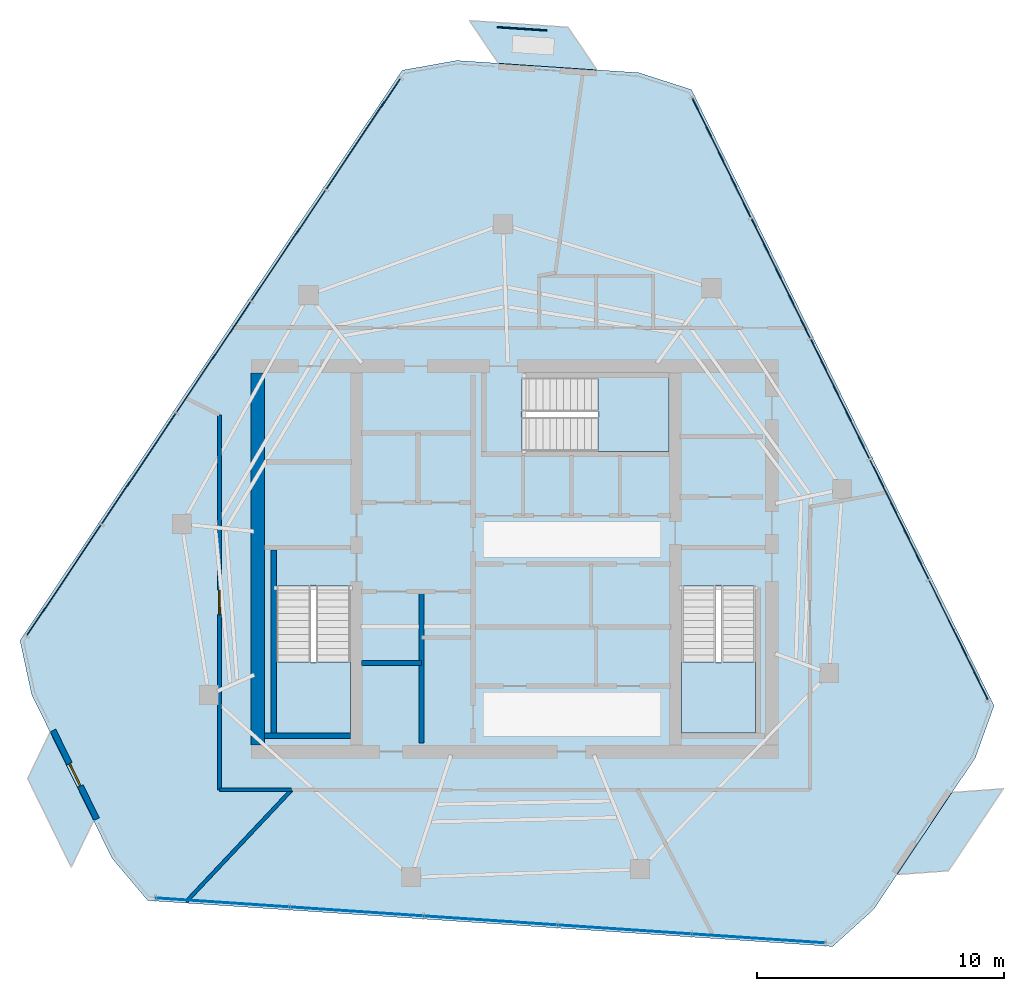
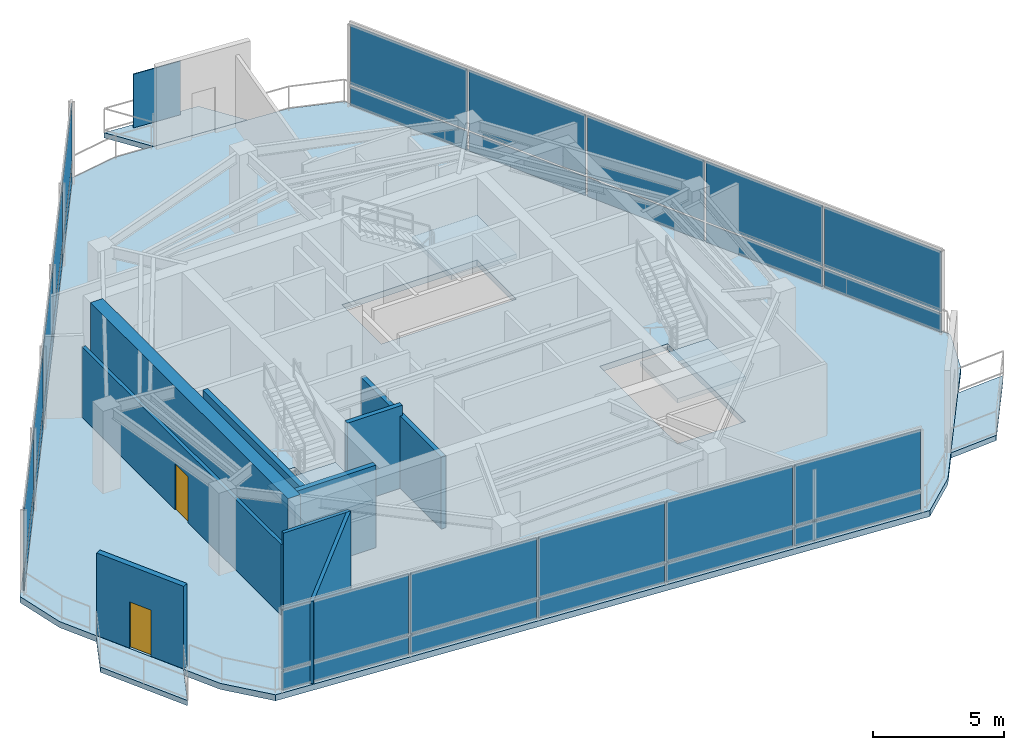
# One storey, part 13 of 18: 31 plates, 9 walls, 7 slabs, 2 doors, 2 openings, 6 elements without a shape of their own.
"""IFC4 building model written with IfcOpenShell, lengths in metres."""

from ifc_helpers import new_model, si_unit, direction, frame, frame_2d, origin, origin_2d, place, context, subcontext, project, spatial, polyline, rectangle, outline, extrude, material, layer, layer_set, type_object, element, fill, aggregate, save


model = new_model("IFC4")

# Units and contexts
model_context = context("Model", 3, precision=1e-05, world=origin(), true_north=direction((0.0, 1.0)))
body_context = subcontext(model_context, "Body", "Model", "MODEL_VIEW")
ifc_project = project(units=[si_unit("LENGTHUNIT", "METRE"), si_unit("AREAUNIT", "SQUARE_METRE"), si_unit("VOLUMEUNIT", "CUBIC_METRE"), si_unit("PLANEANGLEUNIT", "RADIAN"), si_unit("MASSUNIT", "GRAM", prefix="KILO")], contexts=[model_context])

# Site, building, storey
site_placement = place(None, origin())
site = spatial("IfcSite", under=ifc_project, at=site_placement, CompositionType="ELEMENT")
building_placement = place(site_placement, origin())
building = spatial("IfcBuilding", under=site, at=building_placement, Name="Qarnah Convention Tower", CompositionType="ELEMENT")
storey_placement = place(building_placement, frame((0.0, 0.0, 279.300048828125)))
storey = spatial("IfcBuildingStorey", under=building, at=storey_placement, Name="L75", CompositionType="ELEMENT", Elevation=279.300048828125)

# Curtain wall, plates
ifc_material_1 = material(Name="Tempered Low-E dark glass", Category="glass")
ifc_layer_1 = layer(ifc_material_1, 0.177978515625)
ifc_layer_set_1 = layer_set([ifc_layer_1], Name="Tempered Low-E dark glass")
curtain_wall_type = type_object("IfcCurtainWallType", Name="CWS-06", PredefinedType="NOTDEFINED", material=ifc_layer_set_1)
curtain_wall_1_placement = place(storey_placement, origin())
curtain_wall_1 = element("IfcCurtainWall", 1, at=curtain_wall_1_placement, inside=storey, type_object=curtain_wall_type, Name="L75 unitised curtain wall CW-L75-F1", PredefinedType="NOTDEFINED")
ifc_layer_2 = layer(ifc_material_1, 0.0380859375)
ifc_layer_set_2 = layer_set([ifc_layer_2], Name="Tempered Low-E dark glass")
plate_type_1 = type_object("IfcPlateType", Name="PNL-T6", PredefinedType="CURTAIN_PANEL", material=ifc_layer_set_2)
plate_1_placement = place(storey_placement, frame((45.575439453125, 42.62890625, 0.039794921875), z_axis=(0.0, 0.0, 1.0), x_axis=(0.440831090397, -0.8975900789, 0.0)))
plate_1 = element("IfcPlate", 2, at=plate_1_placement, type_object=plate_type_1, Name="CW-L75-F1 curtain panel 1.1", PredefinedType="CURTAIN_PANEL", context=body_context, shape_type="SweptSolid", body=[
    extrude(rectangle(XDim=5.35693359375, YDim=0.0380859375, at=origin_2d()), origin(), (0.0, 0.0, 1.0), 0.8701171875),
])
plate_2_placement = place(storey_placement, frame((45.575439453125, 42.62890625, 0.989990234375), z_axis=(0.0, 0.0, 1.0), x_axis=(0.440831090397, -0.8975900789, 0.0)))
plate_2 = element("IfcPlate", 3, at=plate_2_placement, type_object=plate_type_1, Name="CW-L75-F1 curtain panel 1.2", PredefinedType="CURTAIN_PANEL", context=body_context, shape_type="SweptSolid", body=[
    extrude(rectangle(XDim=5.35693359375, YDim=0.0380859375, at=origin_2d()), origin(), (0.0, 0.0, 1.0), 2.81005859375),
])
plate_3_placement = place(storey_placement, frame((47.97216796875, 37.748779296875, 0.039794921875), z_axis=(0.0, 0.0, 1.0), x_axis=(0.440831090397, -0.8975900789, 0.0)))
plate_3 = element("IfcPlate", 4, at=plate_3_placement, type_object=plate_type_1, Name="CW-L75-F1 curtain panel 2.1", PredefinedType="CURTAIN_PANEL", context=body_context, shape_type="SweptSolid", body=[
    extrude(rectangle(XDim=5.35693359375, YDim=0.0380859375, at=origin_2d()), origin(), (0.0, 0.0, 1.0), 0.8701171875),
])
plate_4_placement = place(storey_placement, frame((47.97216796875, 37.748779296875, 0.989990234375), z_axis=(0.0, 0.0, 1.0), x_axis=(0.440831090397, -0.8975900789, 0.0)))
plate_4 = element("IfcPlate", 5, at=plate_4_placement, type_object=plate_type_1, Name="CW-L75-F1 curtain panel 2.2", PredefinedType="CURTAIN_PANEL", context=body_context, shape_type="SweptSolid", body=[
    extrude(rectangle(XDim=5.35693359375, YDim=0.0380859375, at=origin_2d()), origin(), (0.0, 0.0, 1.0), 2.81005859375),
])
plate_5_placement = place(storey_placement, frame((50.368896484375, 32.868408203125, 0.039794921875), z_axis=(0.0, 0.0, 1.0), x_axis=(0.440831090397, -0.8975900789, 0.0)))
plate_5 = element("IfcPlate", 6, at=plate_5_placement, type_object=plate_type_1, Name="CW-L75-F1 curtain panel 3.1", PredefinedType="CURTAIN_PANEL", context=body_context, shape_type="SweptSolid", body=[
    extrude(rectangle(XDim=5.35693359375, YDim=0.0380859375, at=origin_2d()), origin(), (0.0, 0.0, 1.0), 0.8701171875),
])
plate_6_placement = place(storey_placement, frame((50.368896484375, 32.868408203125, 0.989990234375), z_axis=(0.0, 0.0, 1.0), x_axis=(0.440831090397, -0.8975900789, 0.0)))
plate_6 = element("IfcPlate", 7, at=plate_6_placement, type_object=plate_type_1, Name="CW-L75-F1 curtain panel 3.2", PredefinedType="CURTAIN_PANEL", context=body_context, shape_type="SweptSolid", body=[
    extrude(rectangle(XDim=5.35693359375, YDim=0.0380859375, at=origin_2d()), origin(), (0.0, 0.0, 1.0), 2.81005859375),
])
plate_7_placement = place(storey_placement, frame((52.765869140625, 27.98828125, 0.039794921875), z_axis=(0.0, 0.0, 1.0), x_axis=(0.440831090397, -0.8975900789, 0.0)))
plate_7 = element("IfcPlate", 8, at=plate_7_placement, type_object=plate_type_1, Name="CW-L75-F1 curtain panel 4.1", PredefinedType="CURTAIN_PANEL", context=body_context, shape_type="SweptSolid", body=[
    extrude(rectangle(XDim=5.35693359375, YDim=0.0380859375, at=origin_2d()), origin(), (0.0, 0.0, 1.0), 0.8701171875),
])
plate_8_placement = place(storey_placement, frame((52.765869140625, 27.98828125, 0.989990234375), z_axis=(0.0, 0.0, 1.0), x_axis=(0.440831090397, -0.8975900789, 0.0)))
plate_8 = element("IfcPlate", 9, at=plate_8_placement, type_object=plate_type_1, Name="CW-L75-F1 curtain panel 4.2", PredefinedType="CURTAIN_PANEL", context=body_context, shape_type="SweptSolid", body=[
    extrude(rectangle(XDim=5.35693359375, YDim=0.0380859375, at=origin_2d()), origin(), (0.0, 0.0, 1.0), 2.81005859375),
])
plate_9_placement = place(storey_placement, frame((55.16259765625, 23.108154296875, 0.039794921875), z_axis=(0.0, 0.0, 1.0), x_axis=(0.440831090397, -0.8975900789, 0.0)))
plate_9 = element("IfcPlate", 10, at=plate_9_placement, type_object=plate_type_1, Name="CW-L75-F1 curtain panel 5.1", PredefinedType="CURTAIN_PANEL", context=body_context, shape_type="SweptSolid", body=[
    extrude(rectangle(XDim=5.35693359375, YDim=0.0380859375, at=origin_2d()), origin(), (0.0, 0.0, 1.0), 0.8701171875),
])
plate_10_placement = place(storey_placement, frame((55.16259765625, 23.108154296875, 0.989990234375), z_axis=(0.0, 0.0, 1.0), x_axis=(0.440831090397, -0.8975900789, 0.0)))
plate_10 = element("IfcPlate", 11, at=plate_10_placement, type_object=plate_type_1, Name="CW-L75-F1 curtain panel 5.2", PredefinedType="CURTAIN_PANEL", context=body_context, shape_type="SweptSolid", body=[
    extrude(rectangle(XDim=5.35693359375, YDim=0.0380859375, at=origin_2d()), origin(), (0.0, 0.0, 1.0), 2.81005859375),
])
aggregate(curtain_wall_1, [plate_1, plate_2, plate_3, plate_4, plate_5, plate_6, plate_7, plate_8, plate_9, plate_10])

curtain_wall_2_placement = place(storey_placement, origin())
curtain_wall_2 = element("IfcCurtainWall", 12, at=curtain_wall_2_placement, inside=storey, type_object=curtain_wall_type, Name="L75 unitised curtain wall CW-L75-F2", PredefinedType="NOTDEFINED")
plate_11_placement = place(storey_placement, frame((18.958740234375, 25.5380859375, 0.039794921875), z_axis=(0.0, 0.0, 1.0), x_axis=(0.55685450921, 0.830610050247, 0.0)))
plate_11 = element("IfcPlate", 13, at=plate_11_placement, type_object=plate_type_1, Name="CW-L75-F2 curtain panel 1.1", PredefinedType="CURTAIN_PANEL", context=body_context, shape_type="SweptSolid", body=[
    extrude(rectangle(XDim=5.35693359375, YDim=0.0380859375, at=origin_2d()), origin(), (0.0, 0.0, 1.0), 0.8701171875),
])
plate_12_placement = place(storey_placement, frame((18.958740234375, 25.5380859375, 0.989990234375), z_axis=(0.0, 0.0, 1.0), x_axis=(0.55685450921, 0.830610050247, 0.0)))
plate_12 = element("IfcPlate", 14, at=plate_12_placement, type_object=plate_type_1, Name="CW-L75-F2 curtain panel 1.2", PredefinedType="CURTAIN_PANEL", context=body_context, shape_type="SweptSolid", body=[
    extrude(rectangle(XDim=5.35693359375, YDim=0.0380859375, at=origin_2d()), origin(), (0.0, 0.0, 1.0), 2.81005859375),
])
plate_13_placement = place(storey_placement, frame((21.986328125, 30.053955078125, 0.039794921875), z_axis=(0.0, 0.0, 1.0), x_axis=(0.55685450921, 0.830610050247, 0.0)))
plate_13 = element("IfcPlate", 15, at=plate_13_placement, type_object=plate_type_1, Name="CW-L75-F2 curtain panel 2.1", PredefinedType="CURTAIN_PANEL", context=body_context, shape_type="SweptSolid", body=[
    extrude(rectangle(XDim=5.35693359375, YDim=0.0380859375, at=origin_2d()), origin(), (0.0, 0.0, 1.0), 0.8701171875),
])
plate_14_placement = place(storey_placement, frame((21.986328125, 30.053955078125, 0.989990234375), z_axis=(0.0, 0.0, 1.0), x_axis=(0.55685450921, 0.830610050247, 0.0)))
plate_14 = element("IfcPlate", 16, at=plate_14_placement, type_object=plate_type_1, Name="CW-L75-F2 curtain panel 2.2", PredefinedType="CURTAIN_PANEL", context=body_context, shape_type="SweptSolid", body=[
    extrude(rectangle(XDim=5.35693359375, YDim=0.0380859375, at=origin_2d()), origin(), (0.0, 0.0, 1.0), 2.81005859375),
])
plate_15_placement = place(storey_placement, frame((25.013916015625, 34.570068359375, 0.039794921875), z_axis=(0.0, 0.0, 1.0), x_axis=(0.55685450921, 0.830610050247, 0.0)))
plate_15 = element("IfcPlate", 17, at=plate_15_placement, type_object=plate_type_1, Name="CW-L75-F2 curtain panel 3.1", PredefinedType="CURTAIN_PANEL", context=body_context, shape_type="SweptSolid", body=[
    extrude(rectangle(XDim=5.35693359375, YDim=0.0380859375, at=origin_2d()), origin(), (0.0, 0.0, 1.0), 0.8701171875),
])
plate_16_placement = place(storey_placement, frame((25.013916015625, 34.570068359375, 0.989990234375), z_axis=(0.0, 0.0, 1.0), x_axis=(0.55685450921, 0.830610050247, 0.0)))
plate_16 = element("IfcPlate", 18, at=plate_16_placement, type_object=plate_type_1, Name="CW-L75-F2 curtain panel 3.2", PredefinedType="CURTAIN_PANEL", context=body_context, shape_type="SweptSolid", body=[
    extrude(rectangle(XDim=5.35693359375, YDim=0.0380859375, at=origin_2d()), origin(), (0.0, 0.0, 1.0), 2.81005859375),
])
plate_17_placement = place(storey_placement, frame((28.04150390625, 39.0859375, 0.039794921875), z_axis=(0.0, 0.0, 1.0), x_axis=(0.55685450921, 0.830610050247, 0.0)))
plate_17 = element("IfcPlate", 19, at=plate_17_placement, type_object=plate_type_1, Name="CW-L75-F2 curtain panel 4.1", PredefinedType="CURTAIN_PANEL", context=body_context, shape_type="SweptSolid", body=[
    extrude(rectangle(XDim=5.35693359375, YDim=0.0380859375, at=origin_2d()), origin(), (0.0, 0.0, 1.0), 0.8701171875),
])
plate_18_placement = place(storey_placement, frame((28.04150390625, 39.0859375, 0.989990234375), z_axis=(0.0, 0.0, 1.0), x_axis=(0.55685450921, 0.830610050247, 0.0)))
plate_18 = element("IfcPlate", 20, at=plate_18_placement, type_object=plate_type_1, Name="CW-L75-F2 curtain panel 4.2", PredefinedType="CURTAIN_PANEL", context=body_context, shape_type="SweptSolid", body=[
    extrude(rectangle(XDim=5.35693359375, YDim=0.0380859375, at=origin_2d()), origin(), (0.0, 0.0, 1.0), 2.81005859375),
])
plate_19_placement = place(storey_placement, frame((31.069091796875, 43.60205078125, 0.039794921875), z_axis=(0.0, 0.0, 1.0), x_axis=(0.55685450921, 0.830610050247, 0.0)))
plate_19 = element("IfcPlate", 21, at=plate_19_placement, type_object=plate_type_1, Name="CW-L75-F2 curtain panel 5.1", PredefinedType="CURTAIN_PANEL", context=body_context, shape_type="SweptSolid", body=[
    extrude(rectangle(XDim=5.35693359375, YDim=0.0380859375, at=origin_2d()), origin(), (0.0, 0.0, 1.0), 0.8701171875),
])
plate_20_placement = place(storey_placement, frame((31.069091796875, 43.60205078125, 0.989990234375), z_axis=(0.0, 0.0, 1.0), x_axis=(0.55685450921, 0.830610050247, 0.0)))
plate_20 = element("IfcPlate", 22, at=plate_20_placement, type_object=plate_type_1, Name="CW-L75-F2 curtain panel 5.2", PredefinedType="CURTAIN_PANEL", context=body_context, shape_type="SweptSolid", body=[
    extrude(rectangle(XDim=5.35693359375, YDim=0.0380859375, at=origin_2d()), origin(), (0.0, 0.0, 1.0), 2.81005859375),
])
aggregate(curtain_wall_2, [plate_11, plate_12, plate_13, plate_14, plate_15, plate_16, plate_17, plate_18, plate_19, plate_20])

curtain_wall_3_placement = place(storey_placement, origin())
curtain_wall_3 = element("IfcCurtainWall", 23, at=curtain_wall_3_placement, inside=storey, type_object=curtain_wall_type, Name="L75 unitised curtain wall CW-L75-F3", PredefinedType="NOTDEFINED")
plate_21_placement = place(storey_placement, frame((47.066650390625, 11.033203125, 0.039794921875), z_axis=(0.0, 0.0, 1.0), x_axis=(-0.997753961252, 0.066985317843, 0.0)))
plate_21 = element("IfcPlate", 24, at=plate_21_placement, type_object=plate_type_1, Name="CW-L75-F3 curtain panel 1.1", PredefinedType="CURTAIN_PANEL", context=body_context, shape_type="SweptSolid", body=[
    extrude(rectangle(XDim=5.35693359375, YDim=0.0380859375, at=origin_2d()), origin(), (0.0, 0.0, 1.0), 0.8701171875),
])
plate_22_placement = place(storey_placement, frame((47.066650390625, 11.033203125, 0.989990234375), z_axis=(0.0, 0.0, 1.0), x_axis=(-0.997753961252, 0.066985317843, 0.0)))
plate_22 = element("IfcPlate", 25, at=plate_22_placement, type_object=plate_type_1, Name="CW-L75-F3 curtain panel 1.2", PredefinedType="CURTAIN_PANEL", context=body_context, shape_type="SweptSolid", body=[
    extrude(rectangle(XDim=5.35693359375, YDim=0.0380859375, at=origin_2d()), origin(), (0.0, 0.0, 1.0), 2.81005859375),
])
plate_23_placement = place(storey_placement, frame((41.641845703125, 11.397216796875, 0.039794921875), z_axis=(0.0, 0.0, 1.0), x_axis=(-0.997753961252, 0.066985317843, 0.0)))
plate_23 = element("IfcPlate", 26, at=plate_23_placement, type_object=plate_type_1, Name="CW-L75-F3 curtain panel 2.1", PredefinedType="CURTAIN_PANEL", context=body_context, shape_type="SweptSolid", body=[
    extrude(rectangle(XDim=5.35693359375, YDim=0.0380859375, at=origin_2d()), origin(), (0.0, 0.0, 1.0), 0.8701171875),
])
plate_24_placement = place(storey_placement, frame((41.641845703125, 11.397216796875, 0.989990234375), z_axis=(0.0, 0.0, 1.0), x_axis=(-0.997753961252, 0.066985317843, 0.0)))
plate_24 = element("IfcPlate", 27, at=plate_24_placement, type_object=plate_type_1, Name="CW-L75-F3 curtain panel 2.2", PredefinedType="CURTAIN_PANEL", context=body_context, shape_type="SweptSolid", body=[
    extrude(rectangle(XDim=5.35693359375, YDim=0.0380859375, at=origin_2d()), origin(), (0.0, 0.0, 1.0), 2.81005859375),
])
plate_25_placement = place(storey_placement, frame((36.217041015625, 11.761474609375, 0.039794921875), z_axis=(0.0, 0.0, 1.0), x_axis=(-0.997753961252, 0.066985317843, 0.0)))
plate_25 = element("IfcPlate", 28, at=plate_25_placement, type_object=plate_type_1, Name="CW-L75-F3 curtain panel 3.1", PredefinedType="CURTAIN_PANEL", context=body_context, shape_type="SweptSolid", body=[
    extrude(rectangle(XDim=5.35693359375, YDim=0.0380859375, at=origin_2d()), origin(), (0.0, 0.0, 1.0), 0.8701171875),
])
plate_26_placement = place(storey_placement, frame((36.217041015625, 11.761474609375, 0.989990234375), z_axis=(0.0, 0.0, 1.0), x_axis=(-0.997753961252, 0.066985317843, 0.0)))
plate_26 = element("IfcPlate", 29, at=plate_26_placement, type_object=plate_type_1, Name="CW-L75-F3 curtain panel 3.2", PredefinedType="CURTAIN_PANEL", context=body_context, shape_type="SweptSolid", body=[
    extrude(rectangle(XDim=5.35693359375, YDim=0.0380859375, at=origin_2d()), origin(), (0.0, 0.0, 1.0), 2.81005859375),
])
plate_27_placement = place(storey_placement, frame((30.792236328125, 12.125732421875, 0.039794921875), z_axis=(0.0, 0.0, 1.0), x_axis=(-0.997753961252, 0.066985317843, 0.0)))
plate_27 = element("IfcPlate", 30, at=plate_27_placement, type_object=plate_type_1, Name="CW-L75-F3 curtain panel 4.1", PredefinedType="CURTAIN_PANEL", context=body_context, shape_type="SweptSolid", body=[
    extrude(rectangle(XDim=5.35693359375, YDim=0.0380859375, at=origin_2d()), origin(), (0.0, 0.0, 1.0), 0.8701171875),
])
plate_28_placement = place(storey_placement, frame((30.792236328125, 12.125732421875, 0.989990234375), z_axis=(0.0, 0.0, 1.0), x_axis=(-0.997753961252, 0.066985317843, 0.0)))
plate_28 = element("IfcPlate", 31, at=plate_28_placement, type_object=plate_type_1, Name="CW-L75-F3 curtain panel 4.2", PredefinedType="CURTAIN_PANEL", context=body_context, shape_type="SweptSolid", body=[
    extrude(rectangle(XDim=5.35693359375, YDim=0.0380859375, at=origin_2d()), origin(), (0.0, 0.0, 1.0), 2.81005859375),
])
plate_29_placement = place(storey_placement, frame((25.367431640625, 12.489990234375, 0.039794921875), z_axis=(0.0, 0.0, 1.0), x_axis=(-0.997753961252, 0.066985317843, 0.0)))
plate_29 = element("IfcPlate", 32, at=plate_29_placement, type_object=plate_type_1, Name="CW-L75-F3 curtain panel 5.1", PredefinedType="CURTAIN_PANEL", context=body_context, shape_type="SweptSolid", body=[
    extrude(rectangle(XDim=5.35693359375, YDim=0.0380859375, at=origin_2d()), origin(), (0.0, 0.0, 1.0), 0.8701171875),
])
plate_30_placement = place(storey_placement, frame((25.367431640625, 12.489990234375, 0.989990234375), z_axis=(0.0, 0.0, 1.0), x_axis=(-0.997753961252, 0.066985317843, 0.0)))
plate_30 = element("IfcPlate", 33, at=plate_30_placement, type_object=plate_type_1, Name="CW-L75-F3 curtain panel 5.2", PredefinedType="CURTAIN_PANEL", context=body_context, shape_type="SweptSolid", body=[
    extrude(rectangle(XDim=5.35693359375, YDim=0.0380859375, at=origin_2d()), origin(), (0.0, 0.0, 1.0), 2.81005859375),
])
aggregate(curtain_wall_3, [plate_21, plate_22, plate_23, plate_24, plate_25, plate_26, plate_27, plate_28, plate_29, plate_30])

# Plate
ifc_material_2 = material(Name="Black anodised aluminium", Category="aluminium")
ifc_layer_3 = layer(ifc_material_2, 0.044921875)
ifc_layer_set_3 = layer_set([ifc_layer_3], Name="Black anodised aluminium")
plate_type_2 = type_object("IfcPlateType", Name="SCR-BAL-18", PredefinedType="USERDEFINED", material=ifc_layer_set_3)
plate_31_placement = place(storey_placement, frame((37.49609375, 47.85302734375, 0.0), z_axis=(0.0, 0.0, 1.0), x_axis=(0.997752969733, -0.067000084985, 0.0)))
element("IfcPlate", 34, at=plate_31_placement, inside=storey, type_object=plate_type_2, Name="L75 perforated desert solar screen BAL-L75-C1", ObjectType="SCREEN", PredefinedType="USERDEFINED", context=body_context, shape_type="SweptSolid", body=[
    extrude(rectangle(XDim=2.0, YDim=0.044921875, at=origin_2d()), origin(), (0.0, 0.0, 1.0), 2.5),
])

# Slabs
ifc_material_3 = material(Name="Concrete C45/55", Category="concrete")
ifc_layer_4 = layer(ifc_material_3, 0.239990234375)
ifc_layer_set_4 = layer_set([ifc_layer_4], Name="Concrete C45/55")
slab_type_1 = type_object("IfcSlabType", Name="SLB-BAL-240", PredefinedType="USERDEFINED", material=ifc_layer_set_4)
slab_1_placement = place(storey_placement, frame((0.0, 0.0, -0.239990234375)))
element("IfcSlab", 35, at=slab_1_placement, inside=storey, type_object=slab_type_1, Name="L75 cantilevered balcony slab BAL-L75-C1", ObjectType="BALCONY", PredefinedType="USERDEFINED", context=body_context, shape_type="SweptSolid", body=[
    extrude(outline(polyline([(35.365966796875, 48.18603515625), (39.35693359375, 47.91796875), (40.531982421875, 46.18603515625), (36.5400390625, 46.4541015625), (35.365966796875, 48.18603515625)])), origin(), (0.0, 0.0, 1.0), 0.239990234375),
])
slab_2_placement = place(storey_placement, frame((0.0, 0.0, -0.239990234375)))
element("IfcSlab", 36, at=slab_2_placement, inside=storey, type_object=slab_type_1, Name="L75 cantilevered balcony slab BAL-L75-C2", ObjectType="BALCONY", PredefinedType="USERDEFINED", context=body_context, shape_type="SweptSolid", body=[
    extrude(outline(polyline([(19.25, 13.9189453125), (17.487060546875, 17.509033203125), (18.39892578125, 19.39208984375), (20.162109375, 15.801025390625), (19.25, 13.9189453125)])), origin(), (0.0, 0.0, 1.0), 0.239990234375),
])
slab_3_placement = place(storey_placement, frame((0.0, 0.0, -0.239990234375)))
element("IfcSlab", 37, at=slab_3_placement, inside=storey, type_object=slab_type_1, Name="L75 cantilevered balcony slab BAL-L75-C3", ObjectType="BALCONY", PredefinedType="USERDEFINED", context=body_context, shape_type="SweptSolid", body=[
    extrude(outline(polyline([(56.98388671875, 17.095947265625), (54.757080078125, 13.77294921875), (52.6689453125, 13.62109375), (54.89697265625, 16.944091796875), (56.98388671875, 17.095947265625)])), origin(), (0.0, 0.0, 1.0), 0.239990234375),
])

# Stair, slab
ifc_material_4 = material(Name="Concrete C50/60", Category="concrete")
stair_type = type_object("IfcStairType", Name="STR-SUM", PredefinedType="HALF_TURN_STAIR", material=ifc_material_4)
stair_1_placement = place(storey_placement, origin())
stair_1 = element("IfcStair", 38, at=stair_1_placement, inside=storey, type_object=stair_type, Name="L75 Core exit stair ST-1", PredefinedType="HALF_TURN_STAIR")
ifc_layer_5 = layer(ifc_material_4, 0.199951171875)
ifc_layer_set_5 = layer_set([ifc_layer_5], Name="Concrete C50/60")
slab_type_2 = type_object("IfcSlabType", Name="SLB-LANDING-200", PredefinedType="LANDING", material=ifc_layer_set_5)
slab_4_placement = place(storey_placement, frame((0.0, 0.0, 1.89990234375)))
slab_4 = element("IfcSlab", 39, at=slab_4_placement, type_object=slab_type_2, Name="ST-1 landing 1", PredefinedType="LANDING", context=body_context, shape_type="SweptSolid", body=[
    extrude(outline(polyline([(27.550048828125, 22.219970703125), (27.550048828125, 19.35009765625), (30.550048828125, 19.35009765625), (30.550048828125, 22.219970703125), (27.550048828125, 22.219970703125)])), origin(), (0.0, 0.0, 1.0), 0.199951171875),
])
aggregate(stair_1, [slab_4])

stair_2_placement = place(storey_placement, origin())
stair_2 = element("IfcStair", 40, at=stair_2_placement, inside=storey, type_object=stair_type, Name="L75 Core exit stair ST-2", PredefinedType="HALF_TURN_STAIR")
slab_5_placement = place(storey_placement, frame((0.0, 0.0, 1.89990234375)))
slab_5 = element("IfcSlab", 41, at=slab_5_placement, type_object=slab_type_2, Name="ST-2 landing 1", PredefinedType="LANDING", context=body_context, shape_type="SweptSolid", body=[
    extrude(outline(polyline([(43.949951171875, 22.219970703125), (43.949951171875, 19.35009765625), (46.949951171875, 19.35009765625), (46.949951171875, 22.219970703125), (43.949951171875, 22.219970703125)])), origin(), (0.0, 0.0, 1.0), 0.199951171875),
])
aggregate(stair_2, [slab_5])

stair_3_placement = place(storey_placement, origin())
stair_3 = element("IfcStair", 42, at=stair_3_placement, inside=storey, type_object=stair_type, Name="L75 Core exit stair ST-3", PredefinedType="HALF_TURN_STAIR")
slab_6_placement = place(storey_placement, frame((0.0, 0.0, 1.89990234375)))
slab_6 = element("IfcSlab", 43, at=slab_6_placement, type_object=slab_type_2, Name="ST-3 landing 1", PredefinedType="LANDING", context=body_context, shape_type="SweptSolid", body=[
    extrude(outline(polyline([(40.580078125, 30.75), (43.449951171875, 30.75), (43.449951171875, 33.75), (40.580078125, 33.75), (40.580078125, 30.75)])), origin(), (0.0, 0.0, 1.0), 0.199951171875),
])
aggregate(stair_3, [slab_6])

# Slab
ifc_layer_6 = layer(ifc_material_3, 0.280029296875)
ifc_layer_set_6 = layer_set([ifc_layer_6], Name="Concrete C45/55")
slab_type_3 = type_object("IfcSlabType", Name="SLB-TWR-280", PredefinedType="FLOOR", material=ifc_layer_set_6)
slab_7_placement = place(storey_placement, frame((0.0, 0.0, -0.280029296875)))
element("IfcSlab", 44, at=slab_7_placement, inside=storey, type_object=slab_type_3, Name="L75 structural floor slab", PredefinedType="FLOOR", context=body_context, shape_type="SweptSolid", body=[
    extrude(outline(polyline([(32.64990234375, 46.176025390625), (17.177978515625, 23.097900390625), (17.64990234375, 20.907958984375), (20.903076171875, 14.283935546875), (22.347900390625, 12.572021484375), (50.070068359375, 10.7109375), (51.73095703125, 12.215087890625), (55.841064453125, 18.344970703125), (56.60107421875, 20.451904296875), (44.35205078125, 45.39111328125), (42.218994140625, 46.076904296875), (34.85595703125, 46.571044921875), (32.64990234375, 46.176025390625)]), holes=[polyline([(27.550048828125, 25.300048828125), (27.550048828125, 19.35009765625), (30.550048828125, 19.35009765625), (30.550048828125, 25.300048828125), (27.550048828125, 25.300048828125)]), polyline([(43.949951171875, 25.300048828125), (43.949951171875, 19.35009765625), (46.949951171875, 19.35009765625), (46.949951171875, 25.300048828125), (43.949951171875, 25.300048828125)]), polyline([(37.5, 30.75), (43.449951171875, 30.75), (43.449951171875, 33.75), (37.5, 33.75), (37.5, 30.75)])]), origin(), (0.0, 0.0, 1.0), 0.280029296875),
])

# Walls
ifc_material_5 = material(Name="Concrete C60/75", Category="concrete")
ifc_layer_7 = layer(ifc_material_5, 0.550048828125)
ifc_layer_set_7 = layer_set([ifc_layer_7], Name="Concrete C60/75")
wall_type_1 = type_object("IfcWallType", Name="WL-CORE-550", PredefinedType="SHEAR", material=ifc_layer_set_7)
wall_1_placement = place(storey_placement, frame((26.800048828125, 18.875, 0.0), z_axis=(0.0, 0.0, 1.0), x_axis=(0.0, 1.0, 0.0)))
element("IfcWall", 45, at=wall_1_placement, inside=storey, type_object=wall_type_1, Name="L75 core west shear wall", PredefinedType="SHEAR", context=body_context, shape_type="SweptSolid", body=[
    extrude(rectangle(XDim=15.050048828125, YDim=0.550048828125, at=frame_2d((7.52490234375, 0.0))), origin(), (0.0, 0.0, 1.0), 3.83984375),
])
ifc_layer_8 = layer(ifc_material_3, 0.199951171875)
ifc_layer_set_8 = layer_set([ifc_layer_8], Name="Concrete C45/55")
wall_type_2 = type_object("IfcWallType", Name="WL-CORE-PART-200", PredefinedType="SOLIDWALL", material=ifc_layer_set_8)
wall_2_placement = place(storey_placement, frame((33.419921875, 18.949951171875, 0.0), z_axis=(0.0, 0.0, 1.0), x_axis=(0.0, 1.0, 0.0)))
element("IfcWall", 46, at=wall_2_placement, inside=storey, type_object=wall_type_2, Name="L75 interior wall IW-L75-SVLE", PredefinedType="SOLIDWALL", context=body_context, shape_type="SweptSolid", body=[
    extrude(rectangle(XDim=6.130126953125, YDim=0.199951171875, at=frame_2d((3.06494140625, 0.0))), origin(), (0.0, 0.0, 1.0), 3.36083984375),
])
wall_3_placement = place(storey_placement, frame((31.0, 22.179931640625, 0.0), z_axis=(0.0, 0.0, 1.0), x_axis=(1.0, 0.0, 0.0)))
element("IfcWall", 47, at=wall_3_placement, inside=storey, type_object=wall_type_2, Name="L75 interior wall IW-L75-SVLS", PredefinedType="SOLIDWALL", context=body_context, shape_type="SweptSolid", body=[
    extrude(rectangle(XDim=2.419921875, YDim=0.199951171875, at=frame_2d((1.2099609375, 0.0))), origin(), (0.0, 0.0, 1.0), 3.83984375),
])
ifc_layer_9 = layer(ifc_material_5, 0.219970703125)
ifc_layer_set_9 = layer_set([ifc_layer_9], Name="Concrete C60/75")
wall_type_3 = type_object("IfcWallType", Name="WL-CORE-STAIR-220", PredefinedType="SHEAR", material=ifc_layer_set_9)
wall_4_placement = place(storey_placement, frame((27.43994140625, 19.35009765625, 0.0), z_axis=(0.0, 0.0, 1.0), x_axis=(0.0, 1.0, 0.0)))
element("IfcWall", 48, at=wall_4_placement, inside=storey, type_object=wall_type_3, Name="L75 stair shaft shear wall SW-L75-ST1W", PredefinedType="SHEAR", context=body_context, shape_type="SweptSolid", body=[
    extrude(rectangle(XDim=7.39990234375, YDim=0.219970703125, at=frame_2d((3.699951171875, 0.0))), origin(), (0.0, 0.0, 1.0), 3.83984375),
])
wall_5_placement = place(storey_placement, frame((27.074951171875, 19.239990234375, 0.0), z_axis=(0.0, 0.0, 1.0), x_axis=(1.0, 0.0, 0.0)))
element("IfcWall", 49, at=wall_5_placement, inside=storey, type_object=wall_type_3, Name="L75 stair shaft shear wall SW-L75-ST1S", PredefinedType="SHEAR", context=body_context, shape_type="SweptSolid", body=[
    extrude(rectangle(XDim=3.47509765625, YDim=0.219970703125, at=frame_2d((1.737548828125, 0.0))), origin(), (0.0, 0.0, 1.0), 3.83984375),
])

# Wall, opening, door
ifc_material_6 = material(Name="Precast concrete C45/55", Category="concrete")
ifc_layer_10 = layer(ifc_material_6, 0.239990234375)
ifc_layer_set_10 = layer_set([ifc_layer_10], Name="Precast concrete C45/55")
wall_type_4 = type_object("IfcWallType", Name="WL-EXT-BAL-240", PredefinedType="SOLIDWALL", material=ifc_layer_set_10)
wall_6_placement = place(storey_placement, frame((20.283935546875, 15.863037109375, 0.0), z_axis=(0.0, 0.0, 1.0), x_axis=(-0.441001359664, 0.897506434949, 0.0)))
wall_6 = element("IfcWall", 50, at=wall_6_placement, inside=storey, type_object=wall_type_4, Name="L75 loggia threshold wall BAL-L75-C2", PredefinedType="SOLIDWALL", context=body_context, shape_type="SweptSolid", body=[
    extrude(rectangle(XDim=3.999755859375, YDim=0.239990234375, at=frame_2d((2.0, 0.0))), origin(), (0.0, 0.0, 1.0), 3.83984375),
])
opening_1_placement = place(wall_6_placement, frame((1.5, 0.0, 0.0)))
opening_1 = element("IfcOpeningElement", 51, at=opening_1_placement, cuts=wall_6, Name="Opening BD-7502", PredefinedType="OPENING", context=body_context, shape_type="SweptSolid", body=[
    extrude(rectangle(XDim=1.0, YDim=2.14990234375, at=frame_2d((0.5, 1.074951171875))), frame((0.0, 0.1298828125, 0.0), z_axis=(0.0, -1.0, 0.0), x_axis=(1.0, 0.0, 0.0)), (0.0, 0.0, 1.0), 0.260009765625),
])
door_type_1 = type_object("IfcDoorType", Name="DT-BAL-1000", OperationType="NOTDEFINED", PredefinedType="DOOR", material=ifc_material_2)
door_1_placement = place(opening_1_placement, origin())
door_1 = element("IfcDoor", 52, at=door_1_placement, inside=storey, type_object=door_type_1, Name="L75 balcony terrace door BAL-L75-C2", OperationType="SINGLE_SWING_LEFT", OverallHeight=2.14990234375, OverallWidth=1.0, PredefinedType="DOOR", context=body_context, shape_type="SweptSolid", body=[
    extrude(rectangle(XDim=1.0, YDim=2.14990234375, at=frame_2d((0.5, 1.074951171875))), frame((0.0, 0.02490234375, 0.0), z_axis=(0.0, -1.0, 0.0), x_axis=(1.0, 0.0, 0.0)), (0.0, 0.0, 1.0), 0.050048828125),
])
fill(opening_1, door_1)

# Walls
ifc_material_7 = material(Name="Gypsum partition board")
ifc_layer_11 = layer(ifc_material_7, 0.14990234375)
ifc_layer_set_11 = layer_set([ifc_layer_11], Name="Gypsum partition board")
wall_type_5 = type_object("IfcWallType", Name="WL-SUITE-150", PredefinedType="PARTITIONING", material=ifc_layer_set_11)
wall_7_placement = place(storey_placement, frame((23.910888671875, 12.529052734375, 0.0), z_axis=(0.0, 0.0, 1.0), x_axis=(0.685787534891, 0.727801797874, 0.0)))
element("IfcWall", 53, at=wall_7_placement, inside=storey, type_object=wall_type_5, Name="L75 interior wall IW-L75-R-12", PredefinedType="PARTITIONING", context=body_context, shape_type="SweptSolid", body=[
    extrude(rectangle(XDim=6.2119140625, YDim=0.14990234375, at=frame_2d((3.10595703125, 0.0))), origin(), (0.0, 0.0, 1.0), 3.83984375),
])
wall_8_placement = place(storey_placement, frame((28.1708984375, 17.050048828125, 0.0), z_axis=(0.0, 0.0, 1.0), x_axis=(-1.0, 0.0, 0.0)))
element("IfcWall", 54, at=wall_8_placement, inside=storey, type_object=wall_type_5, Name="L75 interior wall IW-L75-R-13", PredefinedType="PARTITIONING", context=body_context, shape_type="SweptSolid", body=[
    extrude(rectangle(XDim=2.9208984375, YDim=0.14990234375, at=frame_2d((1.46044921875, 0.0))), origin(), (0.0, 0.0, 1.0), 3.83984375),
])

# Wall, opening, door
wall_9_placement = place(storey_placement, frame((25.25, 17.050048828125, 0.0), z_axis=(0.0, 0.0, 1.0), x_axis=(0.0, 1.0, 0.0)))
wall_9 = element("IfcWall", 55, at=wall_9_placement, inside=storey, type_object=wall_type_5, Name="L75 interior wall IW-L75-R-14", PredefinedType="PARTITIONING", context=body_context, shape_type="SweptSolid", body=[
    extrude(rectangle(XDim=15.177978515625, YDim=0.14990234375, at=frame_2d((7.5888671875, 0.0))), origin(), (0.0, 0.0, 1.0), 3.2890625),
])
opening_2_placement = place(wall_9_placement, frame((7.089111328125, 0.0, 0.0)))
opening_2 = element("IfcOpeningElement", 56, at=opening_2_placement, cuts=wall_9, Name="Opening D-7524", PredefinedType="OPENING", context=body_context, shape_type="SweptSolid", body=[
    extrude(rectangle(XDim=1.0, YDim=2.14990234375, at=frame_2d((0.5, 1.074951171875))), frame((0.0, 0.0849609375, 0.0), z_axis=(0.0, -1.0, 0.0), x_axis=(1.0, 0.0, 0.0)), (0.0, 0.0, 1.0), 0.169921875),
])
ifc_material_8 = material(Name="Oak timber veneer", Category="wood")
door_type_2 = type_object("IfcDoorType", Name="DT-OFFICE-1000", OperationType="NOTDEFINED", PredefinedType="DOOR", material=ifc_material_8)
door_2_placement = place(opening_2_placement, origin())
door_2 = element("IfcDoor", 57, at=door_2_placement, inside=storey, type_object=door_type_2, Name="Door D-7524", OperationType="SINGLE_SWING_LEFT", OverallHeight=2.14990234375, OverallWidth=1.0, PredefinedType="DOOR", context=body_context, shape_type="SweptSolid", body=[
    extrude(rectangle(XDim=1.0, YDim=2.14990234375, at=frame_2d((0.5, 1.074951171875))), frame((0.0, 0.02490234375, 0.0), z_axis=(0.0, -1.0, 0.0), x_axis=(1.0, 0.0, 0.0)), (0.0, 0.0, 1.0), 0.050048828125),
])
fill(opening_2, door_2)

save(model, "model.ifc")
